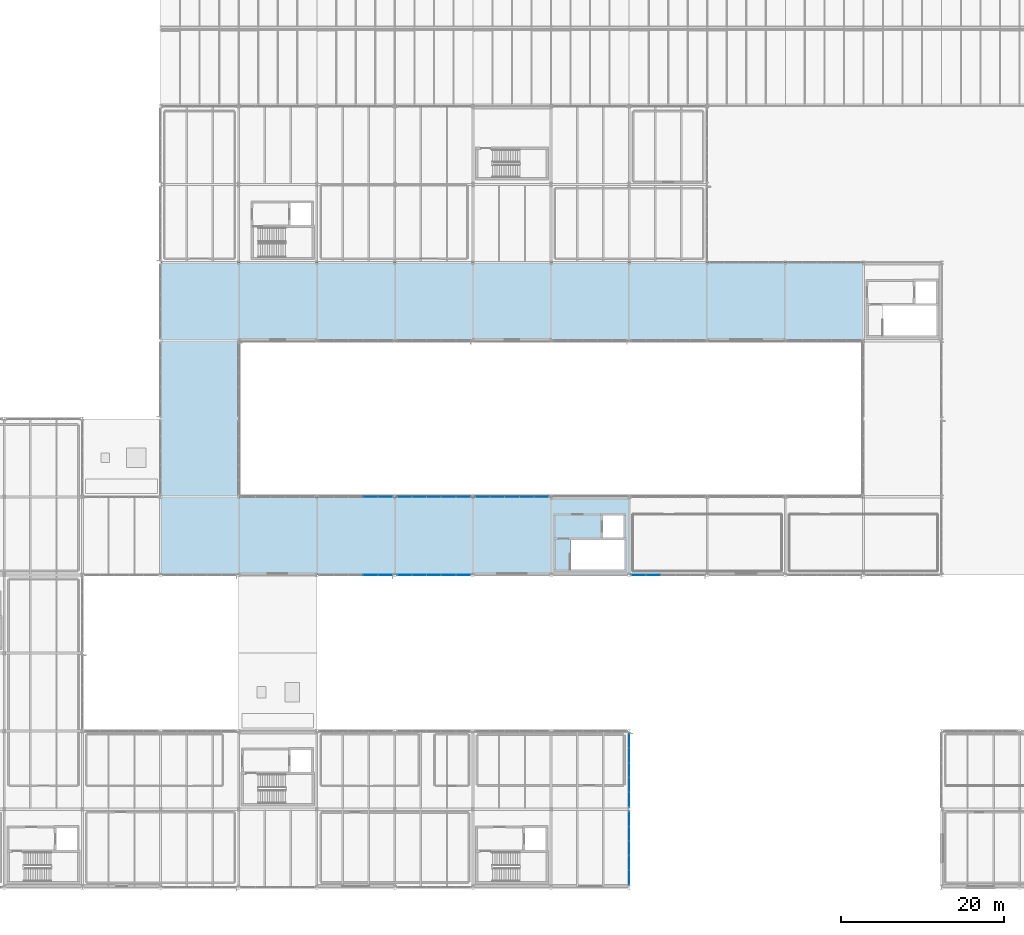
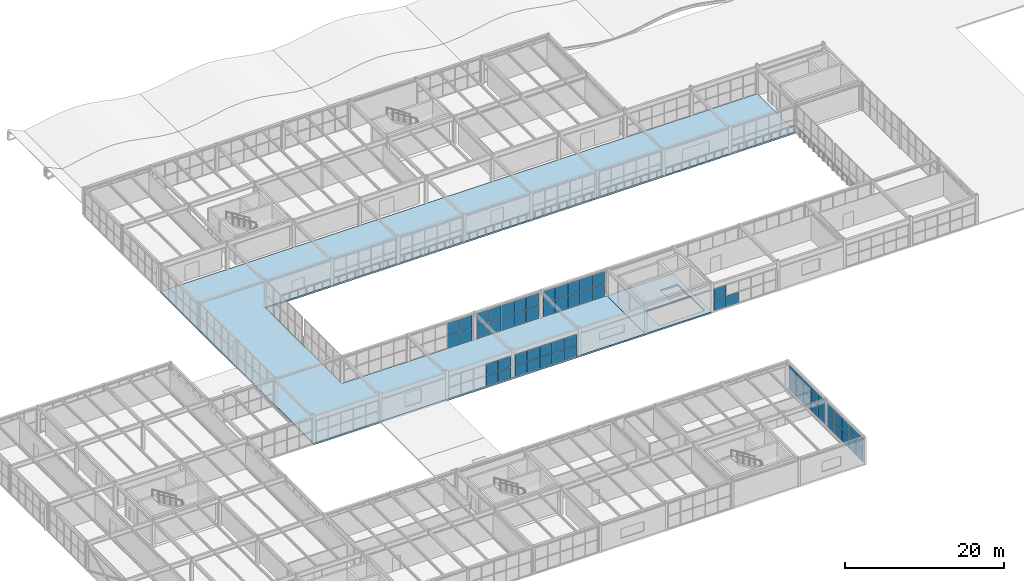
# One storey, part 136 of 170: 61 plates, 2 slabs, 8 elements without a shape of their own.
"""IFC4 building model written with IfcOpenShell, lengths in metres."""

from ifc_helpers import new_model, si_unit, direction, frame, origin, origin_2d, place, context, subcontext, project, spatial, polyline, rectangle, outline, extrude, material, layer, layer_set, type_object, element, aggregate, save


model = new_model("IFC4")

# Units and contexts
model_context = context("Model", 3, precision=1e-05, world=origin(), true_north=direction((0.0, 1.0)))
body_context = subcontext(model_context, "Body", "Model", "MODEL_VIEW")
ifc_project = project(units=[si_unit("LENGTHUNIT", "METRE"), si_unit("AREAUNIT", "SQUARE_METRE"), si_unit("VOLUMEUNIT", "CUBIC_METRE"), si_unit("PLANEANGLEUNIT", "RADIAN"), si_unit("MASSUNIT", "GRAM", prefix="KILO")], contexts=[model_context])

# Site, building, storey
site_placement = place(None, origin())
site = spatial("IfcSite", under=ifc_project, at=site_placement, CompositionType="ELEMENT")
building_placement = place(site_placement, origin())
building = spatial("IfcBuilding", under=site, at=building_placement, Name="Coralgate Yard Interchange", CompositionType="ELEMENT")
storey_placement = place(building_placement, frame((0.0, 0.0, 6.0)))
storey = spatial("IfcBuildingStorey", under=building, at=storey_placement, Name="L01", CompositionType="ELEMENT", Elevation=6.0)

# Curtain wall, plates
ifc_material_1 = material(Name="Anodised coastal aluminium and solar-control low-E glass", Category="aluminium")
curtain_wall_type_1 = type_object("IfcCurtainWallType", Name="CW-CW-L01-A", PredefinedType="NOTDEFINED", material=ifc_material_1)
curtain_wall_1_placement = place(storey_placement, origin())
curtain_wall_1 = element("IfcCurtainWall", 1, at=curtain_wall_1_placement, inside=storey, type_object=curtain_wall_type_1, Name="L01 unitised curtain wall CW-L01-S-06-04", PredefinedType="NOTDEFINED")
ifc_material_2 = material(Name="Solar-control double-glazed low-E glass unit", Category="glass")
ifc_layer_1 = layer(ifc_material_2, 0.031982421875)
ifc_layer_set_1 = layer_set([ifc_layer_1], Name="Solar-control double-glazed low-E glass unit")
plate_type = type_object("IfcPlateType", Name="PLT-CP-32", PredefinedType="CURTAIN_PANEL", material=ifc_layer_set_1)
plate_1_placement = place(storey_placement, frame((66.0, 38.39990234375, 0.02490234375), z_axis=(0.0, 0.0, 1.0), x_axis=(-1.0, 0.0, 0.0)))
plate_1 = element("IfcPlate", 2, at=plate_1_placement, type_object=plate_type, Name="CW-L01-S-06-04 solar-control glazing panel 1-1", PredefinedType="CURTAIN_PANEL", context=body_context, shape_type="SweptSolid", body=[
    extrude(rectangle(XDim=1.75, YDim=0.031982421875, at=origin_2d()), origin(), (0.0, 0.0, 1.0), 1.654541015625),
])
plate_2_placement = place(storey_placement, frame((66.0, 38.39990234375, 1.7294921875), z_axis=(0.0, 0.0, 1.0), x_axis=(-1.0, 0.0, 0.0)))
plate_2 = element("IfcPlate", 3, at=plate_2_placement, type_object=plate_type, Name="CW-L01-S-06-04 solar-control glazing panel 1-2", PredefinedType="CURTAIN_PANEL", context=body_context, shape_type="SweptSolid", body=[
    extrude(rectangle(XDim=1.75, YDim=0.031982421875, at=origin_2d()), origin(), (0.0, 0.0, 1.0), 1.654541015625),
])
plate_3_placement = place(storey_placement, frame((64.199951171875, 38.39990234375, 0.02490234375), z_axis=(0.0, 0.0, 1.0), x_axis=(-1.0, 0.0, 0.0)))
plate_3 = element("IfcPlate", 4, at=plate_3_placement, type_object=plate_type, Name="CW-L01-S-06-04 solar-control glazing panel 2-1", PredefinedType="CURTAIN_PANEL", context=body_context, shape_type="SweptSolid", body=[
    extrude(rectangle(XDim=1.75, YDim=0.031982421875, at=origin_2d()), origin(), (0.0, 0.0, 1.0), 1.654541015625),
])
plate_4_placement = place(storey_placement, frame((64.199951171875, 38.39990234375, 1.7294921875), z_axis=(0.0, 0.0, 1.0), x_axis=(-1.0, 0.0, 0.0)))
plate_4 = element("IfcPlate", 5, at=plate_4_placement, type_object=plate_type, Name="CW-L01-S-06-04 solar-control glazing panel 2-2", PredefinedType="CURTAIN_PANEL", context=body_context, shape_type="SweptSolid", body=[
    extrude(rectangle(XDim=1.75, YDim=0.031982421875, at=origin_2d()), origin(), (0.0, 0.0, 1.0), 1.654541015625),
])
aggregate(curtain_wall_1, [plate_1, plate_2, plate_3, plate_4])

curtain_wall_type_2 = type_object("IfcCurtainWallType", Name="CW-CW-L01-B", PredefinedType="NOTDEFINED", material=ifc_material_1)
curtain_wall_2_placement = place(storey_placement, origin())
curtain_wall_2 = element("IfcCurtainWall", 6, at=curtain_wall_2_placement, inside=storey, type_object=curtain_wall_type_2, Name="L01 unitised curtain wall CW-L01-N-06-04", PredefinedType="NOTDEFINED")
plate_5_placement = place(storey_placement, frame((64.199951171875, 48.0, 0.025146484375), z_axis=(0.0, 0.0, 1.0), x_axis=(1.0, 0.0, 0.0)))
plate_5 = element("IfcPlate", 7, at=plate_5_placement, type_object=plate_type, Name="CW-L01-N-06-04 solar-control glazing panel 4-1", PredefinedType="CURTAIN_PANEL", context=body_context, shape_type="SweptSolid", body=[
    extrude(rectangle(XDim=1.75, YDim=0.031982421875, at=origin_2d()), origin(), (0.0, 0.0, 1.0), 1.89990234375),
])
plate_6_placement = place(storey_placement, frame((64.199951171875, 48.0, 1.97509765625), z_axis=(0.0, 0.0, 1.0), x_axis=(1.0, 0.0, 0.0)))
plate_6 = element("IfcPlate", 8, at=plate_6_placement, type_object=plate_type, Name="CW-L01-N-06-04 solar-control glazing panel 4-2", PredefinedType="CURTAIN_PANEL", context=body_context, shape_type="SweptSolid", body=[
    extrude(rectangle(XDim=1.75, YDim=0.031982421875, at=origin_2d()), origin(), (0.0, 0.0, 1.0), 1.89990234375),
])
plate_7_placement = place(storey_placement, frame((66.0, 48.0, 0.025146484375), z_axis=(0.0, 0.0, 1.0), x_axis=(1.0, 0.0, 0.0)))
plate_7 = element("IfcPlate", 9, at=plate_7_placement, type_object=plate_type, Name="CW-L01-N-06-04 solar-control glazing panel 5-1", PredefinedType="CURTAIN_PANEL", context=body_context, shape_type="SweptSolid", body=[
    extrude(rectangle(XDim=1.75, YDim=0.031982421875, at=origin_2d()), origin(), (0.0, 0.0, 1.0), 1.89990234375),
])
plate_8_placement = place(storey_placement, frame((66.0, 48.0, 1.97509765625), z_axis=(0.0, 0.0, 1.0), x_axis=(1.0, 0.0, 0.0)))
plate_8 = element("IfcPlate", 10, at=plate_8_placement, type_object=plate_type, Name="CW-L01-N-06-04 solar-control glazing panel 5-2", PredefinedType="CURTAIN_PANEL", context=body_context, shape_type="SweptSolid", body=[
    extrude(rectangle(XDim=1.75, YDim=0.031982421875, at=origin_2d()), origin(), (0.0, 0.0, 1.0), 1.89990234375),
])
aggregate(curtain_wall_2, [plate_5, plate_6, plate_7, plate_8])

curtain_wall_3_placement = place(storey_placement, origin())
curtain_wall_3 = element("IfcCurtainWall", 11, at=curtain_wall_3_placement, inside=storey, type_object=curtain_wall_type_1, Name="L01 unitised curtain wall CW-L01-S-07-04", PredefinedType="NOTDEFINED")
plate_9_placement = place(storey_placement, frame((75.60009765625, 38.39990234375, 0.02490234375), z_axis=(0.0, 0.0, 1.0), x_axis=(-1.0, 0.0, 0.0)))
plate_9 = element("IfcPlate", 12, at=plate_9_placement, type_object=plate_type, Name="CW-L01-S-07-04 solar-control glazing panel 1-1", PredefinedType="CURTAIN_PANEL", context=body_context, shape_type="SweptSolid", body=[
    extrude(rectangle(XDim=1.75, YDim=0.031982421875, at=origin_2d()), origin(), (0.0, 0.0, 1.0), 1.654541015625),
])
plate_10_placement = place(storey_placement, frame((75.60009765625, 38.39990234375, 1.7294921875), z_axis=(0.0, 0.0, 1.0), x_axis=(-1.0, 0.0, 0.0)))
plate_10 = element("IfcPlate", 13, at=plate_10_placement, type_object=plate_type, Name="CW-L01-S-07-04 solar-control glazing panel 1-2", PredefinedType="CURTAIN_PANEL", context=body_context, shape_type="SweptSolid", body=[
    extrude(rectangle(XDim=1.75, YDim=0.031982421875, at=origin_2d()), origin(), (0.0, 0.0, 1.0), 1.654541015625),
])
plate_11_placement = place(storey_placement, frame((73.800048828125, 38.39990234375, 0.02490234375), z_axis=(0.0, 0.0, 1.0), x_axis=(-1.0, 0.0, 0.0)))
plate_11 = element("IfcPlate", 14, at=plate_11_placement, type_object=plate_type, Name="CW-L01-S-07-04 solar-control glazing panel 2-1", PredefinedType="CURTAIN_PANEL", context=body_context, shape_type="SweptSolid", body=[
    extrude(rectangle(XDim=1.75, YDim=0.031982421875, at=origin_2d()), origin(), (0.0, 0.0, 1.0), 1.654541015625),
])
plate_12_placement = place(storey_placement, frame((73.800048828125, 38.39990234375, 1.7294921875), z_axis=(0.0, 0.0, 1.0), x_axis=(-1.0, 0.0, 0.0)))
plate_12 = element("IfcPlate", 15, at=plate_12_placement, type_object=plate_type, Name="CW-L01-S-07-04 solar-control glazing panel 2-2", PredefinedType="CURTAIN_PANEL", context=body_context, shape_type="SweptSolid", body=[
    extrude(rectangle(XDim=1.75, YDim=0.031982421875, at=origin_2d()), origin(), (0.0, 0.0, 1.0), 1.654541015625),
])
plate_13_placement = place(storey_placement, frame((72.0, 38.39990234375, 0.02490234375), z_axis=(0.0, 0.0, 1.0), x_axis=(-1.0, 0.0, 0.0)))
plate_13 = element("IfcPlate", 16, at=plate_13_placement, type_object=plate_type, Name="CW-L01-S-07-04 solar-control glazing panel 3-1", PredefinedType="CURTAIN_PANEL", context=body_context, shape_type="SweptSolid", body=[
    extrude(rectangle(XDim=1.75, YDim=0.031982421875, at=origin_2d()), origin(), (0.0, 0.0, 1.0), 1.654541015625),
])
plate_14_placement = place(storey_placement, frame((72.0, 38.39990234375, 1.7294921875), z_axis=(0.0, 0.0, 1.0), x_axis=(-1.0, 0.0, 0.0)))
plate_14 = element("IfcPlate", 17, at=plate_14_placement, type_object=plate_type, Name="CW-L01-S-07-04 solar-control glazing panel 3-2", PredefinedType="CURTAIN_PANEL", context=body_context, shape_type="SweptSolid", body=[
    extrude(rectangle(XDim=1.75, YDim=0.031982421875, at=origin_2d()), origin(), (0.0, 0.0, 1.0), 1.654541015625),
])
plate_15_placement = place(storey_placement, frame((70.199951171875, 38.39990234375, 0.02490234375), z_axis=(0.0, 0.0, 1.0), x_axis=(-1.0, 0.0, 0.0)))
plate_15 = element("IfcPlate", 18, at=plate_15_placement, type_object=plate_type, Name="CW-L01-S-07-04 solar-control glazing panel 4-1", PredefinedType="CURTAIN_PANEL", context=body_context, shape_type="SweptSolid", body=[
    extrude(rectangle(XDim=1.75, YDim=0.031982421875, at=origin_2d()), origin(), (0.0, 0.0, 1.0), 1.654541015625),
])
plate_16_placement = place(storey_placement, frame((70.199951171875, 38.39990234375, 1.7294921875), z_axis=(0.0, 0.0, 1.0), x_axis=(-1.0, 0.0, 0.0)))
plate_16 = element("IfcPlate", 19, at=plate_16_placement, type_object=plate_type, Name="CW-L01-S-07-04 solar-control glazing panel 4-2", PredefinedType="CURTAIN_PANEL", context=body_context, shape_type="SweptSolid", body=[
    extrude(rectangle(XDim=1.75, YDim=0.031982421875, at=origin_2d()), origin(), (0.0, 0.0, 1.0), 1.654541015625),
])
plate_17_placement = place(storey_placement, frame((68.39990234375, 38.39990234375, 0.02490234375), z_axis=(0.0, 0.0, 1.0), x_axis=(-1.0, 0.0, 0.0)))
plate_17 = element("IfcPlate", 20, at=plate_17_placement, type_object=plate_type, Name="CW-L01-S-07-04 solar-control glazing panel 5-1", PredefinedType="CURTAIN_PANEL", context=body_context, shape_type="SweptSolid", body=[
    extrude(rectangle(XDim=1.75, YDim=0.031982421875, at=origin_2d()), origin(), (0.0, 0.0, 1.0), 1.654541015625),
])
plate_18_placement = place(storey_placement, frame((68.39990234375, 38.39990234375, 1.7294921875), z_axis=(0.0, 0.0, 1.0), x_axis=(-1.0, 0.0, 0.0)))
plate_18 = element("IfcPlate", 21, at=plate_18_placement, type_object=plate_type, Name="CW-L01-S-07-04 solar-control glazing panel 5-2", PredefinedType="CURTAIN_PANEL", context=body_context, shape_type="SweptSolid", body=[
    extrude(rectangle(XDim=1.75, YDim=0.031982421875, at=origin_2d()), origin(), (0.0, 0.0, 1.0), 1.654541015625),
])
aggregate(curtain_wall_3, [plate_9, plate_10, plate_11, plate_12, plate_13, plate_14, plate_15, plate_16, plate_17, plate_18])

curtain_wall_4_placement = place(storey_placement, origin())
curtain_wall_4 = element("IfcCurtainWall", 22, at=curtain_wall_4_placement, inside=storey, type_object=curtain_wall_type_2, Name="L01 unitised curtain wall CW-L01-N-07-04", PredefinedType="NOTDEFINED")
plate_19_placement = place(storey_placement, frame((68.39990234375, 48.0, 0.025146484375), z_axis=(0.0, 0.0, 1.0), x_axis=(1.0, 0.0, 0.0)))
plate_19 = element("IfcPlate", 23, at=plate_19_placement, type_object=plate_type, Name="CW-L01-N-07-04 solar-control glazing panel 1-1", PredefinedType="CURTAIN_PANEL", context=body_context, shape_type="SweptSolid", body=[
    extrude(rectangle(XDim=1.75, YDim=0.031982421875, at=origin_2d()), origin(), (0.0, 0.0, 1.0), 1.89990234375),
])
plate_20_placement = place(storey_placement, frame((68.39990234375, 48.0, 1.97509765625), z_axis=(0.0, 0.0, 1.0), x_axis=(1.0, 0.0, 0.0)))
plate_20 = element("IfcPlate", 24, at=plate_20_placement, type_object=plate_type, Name="CW-L01-N-07-04 solar-control glazing panel 1-2", PredefinedType="CURTAIN_PANEL", context=body_context, shape_type="SweptSolid", body=[
    extrude(rectangle(XDim=1.75, YDim=0.031982421875, at=origin_2d()), origin(), (0.0, 0.0, 1.0), 1.89990234375),
])
plate_21_placement = place(storey_placement, frame((70.199951171875, 48.0, 0.025146484375), z_axis=(0.0, 0.0, 1.0), x_axis=(1.0, 0.0, 0.0)))
plate_21 = element("IfcPlate", 25, at=plate_21_placement, type_object=plate_type, Name="CW-L01-N-07-04 solar-control glazing panel 2-1", PredefinedType="CURTAIN_PANEL", context=body_context, shape_type="SweptSolid", body=[
    extrude(rectangle(XDim=1.75, YDim=0.031982421875, at=origin_2d()), origin(), (0.0, 0.0, 1.0), 1.89990234375),
])
plate_22_placement = place(storey_placement, frame((70.199951171875, 48.0, 1.97509765625), z_axis=(0.0, 0.0, 1.0), x_axis=(1.0, 0.0, 0.0)))
plate_22 = element("IfcPlate", 26, at=plate_22_placement, type_object=plate_type, Name="CW-L01-N-07-04 solar-control glazing panel 2-2", PredefinedType="CURTAIN_PANEL", context=body_context, shape_type="SweptSolid", body=[
    extrude(rectangle(XDim=1.75, YDim=0.031982421875, at=origin_2d()), origin(), (0.0, 0.0, 1.0), 1.89990234375),
])
plate_23_placement = place(storey_placement, frame((72.0, 48.0, 0.025146484375), z_axis=(0.0, 0.0, 1.0), x_axis=(1.0, 0.0, 0.0)))
plate_23 = element("IfcPlate", 27, at=plate_23_placement, type_object=plate_type, Name="CW-L01-N-07-04 solar-control glazing panel 3-1", PredefinedType="CURTAIN_PANEL", context=body_context, shape_type="SweptSolid", body=[
    extrude(rectangle(XDim=1.75, YDim=0.031982421875, at=origin_2d()), origin(), (0.0, 0.0, 1.0), 1.89990234375),
])
plate_24_placement = place(storey_placement, frame((72.0, 48.0, 1.97509765625), z_axis=(0.0, 0.0, 1.0), x_axis=(1.0, 0.0, 0.0)))
plate_24 = element("IfcPlate", 28, at=plate_24_placement, type_object=plate_type, Name="CW-L01-N-07-04 solar-control glazing panel 3-2", PredefinedType="CURTAIN_PANEL", context=body_context, shape_type="SweptSolid", body=[
    extrude(rectangle(XDim=1.75, YDim=0.031982421875, at=origin_2d()), origin(), (0.0, 0.0, 1.0), 1.89990234375),
])
plate_25_placement = place(storey_placement, frame((73.800048828125, 48.0, 0.025146484375), z_axis=(0.0, 0.0, 1.0), x_axis=(1.0, 0.0, 0.0)))
plate_25 = element("IfcPlate", 29, at=plate_25_placement, type_object=plate_type, Name="CW-L01-N-07-04 solar-control glazing panel 4-1", PredefinedType="CURTAIN_PANEL", context=body_context, shape_type="SweptSolid", body=[
    extrude(rectangle(XDim=1.75, YDim=0.031982421875, at=origin_2d()), origin(), (0.0, 0.0, 1.0), 1.89990234375),
])
plate_26_placement = place(storey_placement, frame((73.800048828125, 48.0, 1.97509765625), z_axis=(0.0, 0.0, 1.0), x_axis=(1.0, 0.0, 0.0)))
plate_26 = element("IfcPlate", 30, at=plate_26_placement, type_object=plate_type, Name="CW-L01-N-07-04 solar-control glazing panel 4-2", PredefinedType="CURTAIN_PANEL", context=body_context, shape_type="SweptSolid", body=[
    extrude(rectangle(XDim=1.75, YDim=0.031982421875, at=origin_2d()), origin(), (0.0, 0.0, 1.0), 1.89990234375),
])
plate_27_placement = place(storey_placement, frame((75.60009765625, 48.0, 0.025146484375), z_axis=(0.0, 0.0, 1.0), x_axis=(1.0, 0.0, 0.0)))
plate_27 = element("IfcPlate", 31, at=plate_27_placement, type_object=plate_type, Name="CW-L01-N-07-04 solar-control glazing panel 5-1", PredefinedType="CURTAIN_PANEL", context=body_context, shape_type="SweptSolid", body=[
    extrude(rectangle(XDim=1.75, YDim=0.031982421875, at=origin_2d()), origin(), (0.0, 0.0, 1.0), 1.89990234375),
])
plate_28_placement = place(storey_placement, frame((75.60009765625, 48.0, 1.97509765625), z_axis=(0.0, 0.0, 1.0), x_axis=(1.0, 0.0, 0.0)))
plate_28 = element("IfcPlate", 32, at=plate_28_placement, type_object=plate_type, Name="CW-L01-N-07-04 solar-control glazing panel 5-2", PredefinedType="CURTAIN_PANEL", context=body_context, shape_type="SweptSolid", body=[
    extrude(rectangle(XDim=1.75, YDim=0.031982421875, at=origin_2d()), origin(), (0.0, 0.0, 1.0), 1.89990234375),
])
aggregate(curtain_wall_4, [plate_19, plate_20, plate_21, plate_22, plate_23, plate_24, plate_25, plate_26, plate_27, plate_28])

curtain_wall_5_placement = place(storey_placement, origin())
curtain_wall_5 = element("IfcCurtainWall", 33, at=curtain_wall_5_placement, inside=storey, type_object=curtain_wall_type_2, Name="L01 unitised curtain wall CW-L01-N-08-04", PredefinedType="NOTDEFINED")
plate_29_placement = place(storey_placement, frame((78.0, 48.0, 0.025146484375), z_axis=(0.0, 0.0, 1.0), x_axis=(1.0, 0.0, 0.0)))
plate_29 = element("IfcPlate", 34, at=plate_29_placement, type_object=plate_type, Name="CW-L01-N-08-04 solar-control glazing panel 1-1", PredefinedType="CURTAIN_PANEL", context=body_context, shape_type="SweptSolid", body=[
    extrude(rectangle(XDim=1.75, YDim=0.031982421875, at=origin_2d()), origin(), (0.0, 0.0, 1.0), 1.89990234375),
])
plate_30_placement = place(storey_placement, frame((78.0, 48.0, 1.97509765625), z_axis=(0.0, 0.0, 1.0), x_axis=(1.0, 0.0, 0.0)))
plate_30 = element("IfcPlate", 35, at=plate_30_placement, type_object=plate_type, Name="CW-L01-N-08-04 solar-control glazing panel 1-2", PredefinedType="CURTAIN_PANEL", context=body_context, shape_type="SweptSolid", body=[
    extrude(rectangle(XDim=1.75, YDim=0.031982421875, at=origin_2d()), origin(), (0.0, 0.0, 1.0), 1.89990234375),
])
plate_31_placement = place(storey_placement, frame((79.800048828125, 48.0, 0.025146484375), z_axis=(0.0, 0.0, 1.0), x_axis=(1.0, 0.0, 0.0)))
plate_31 = element("IfcPlate", 36, at=plate_31_placement, type_object=plate_type, Name="CW-L01-N-08-04 solar-control glazing panel 2-1", PredefinedType="CURTAIN_PANEL", context=body_context, shape_type="SweptSolid", body=[
    extrude(rectangle(XDim=1.75, YDim=0.031982421875, at=origin_2d()), origin(), (0.0, 0.0, 1.0), 1.89990234375),
])
plate_32_placement = place(storey_placement, frame((79.800048828125, 48.0, 1.97509765625), z_axis=(0.0, 0.0, 1.0), x_axis=(1.0, 0.0, 0.0)))
plate_32 = element("IfcPlate", 37, at=plate_32_placement, type_object=plate_type, Name="CW-L01-N-08-04 solar-control glazing panel 2-2", PredefinedType="CURTAIN_PANEL", context=body_context, shape_type="SweptSolid", body=[
    extrude(rectangle(XDim=1.75, YDim=0.031982421875, at=origin_2d()), origin(), (0.0, 0.0, 1.0), 1.89990234375),
])
plate_33_placement = place(storey_placement, frame((81.60009765625, 48.0, 0.025146484375), z_axis=(0.0, 0.0, 1.0), x_axis=(1.0, 0.0, 0.0)))
plate_33 = element("IfcPlate", 38, at=plate_33_placement, type_object=plate_type, Name="CW-L01-N-08-04 solar-control glazing panel 3-1", PredefinedType="CURTAIN_PANEL", context=body_context, shape_type="SweptSolid", body=[
    extrude(rectangle(XDim=1.75, YDim=0.031982421875, at=origin_2d()), origin(), (0.0, 0.0, 1.0), 1.89990234375),
])
plate_34_placement = place(storey_placement, frame((81.60009765625, 48.0, 1.97509765625), z_axis=(0.0, 0.0, 1.0), x_axis=(1.0, 0.0, 0.0)))
plate_34 = element("IfcPlate", 39, at=plate_34_placement, type_object=plate_type, Name="CW-L01-N-08-04 solar-control glazing panel 3-2", PredefinedType="CURTAIN_PANEL", context=body_context, shape_type="SweptSolid", body=[
    extrude(rectangle(XDim=1.75, YDim=0.031982421875, at=origin_2d()), origin(), (0.0, 0.0, 1.0), 1.89990234375),
])
plate_35_placement = place(storey_placement, frame((83.39990234375, 48.0, 0.025146484375), z_axis=(0.0, 0.0, 1.0), x_axis=(1.0, 0.0, 0.0)))
plate_35 = element("IfcPlate", 40, at=plate_35_placement, type_object=plate_type, Name="CW-L01-N-08-04 solar-control glazing panel 4-1", PredefinedType="CURTAIN_PANEL", context=body_context, shape_type="SweptSolid", body=[
    extrude(rectangle(XDim=1.75, YDim=0.031982421875, at=origin_2d()), origin(), (0.0, 0.0, 1.0), 1.89990234375),
])
plate_36_placement = place(storey_placement, frame((83.39990234375, 48.0, 1.97509765625), z_axis=(0.0, 0.0, 1.0), x_axis=(1.0, 0.0, 0.0)))
plate_36 = element("IfcPlate", 41, at=plate_36_placement, type_object=plate_type, Name="CW-L01-N-08-04 solar-control glazing panel 4-2", PredefinedType="CURTAIN_PANEL", context=body_context, shape_type="SweptSolid", body=[
    extrude(rectangle(XDim=1.75, YDim=0.031982421875, at=origin_2d()), origin(), (0.0, 0.0, 1.0), 1.89990234375),
])
plate_37_placement = place(storey_placement, frame((85.199951171875, 48.0, 0.025146484375), z_axis=(0.0, 0.0, 1.0), x_axis=(1.0, 0.0, 0.0)))
plate_37 = element("IfcPlate", 42, at=plate_37_placement, type_object=plate_type, Name="CW-L01-N-08-04 solar-control glazing panel 5-1", PredefinedType="CURTAIN_PANEL", context=body_context, shape_type="SweptSolid", body=[
    extrude(rectangle(XDim=1.75, YDim=0.031982421875, at=origin_2d()), origin(), (0.0, 0.0, 1.0), 1.89990234375),
])
plate_38_placement = place(storey_placement, frame((85.199951171875, 48.0, 1.97509765625), z_axis=(0.0, 0.0, 1.0), x_axis=(1.0, 0.0, 0.0)))
plate_38 = element("IfcPlate", 43, at=plate_38_placement, type_object=plate_type, Name="CW-L01-N-08-04 solar-control glazing panel 5-2", PredefinedType="CURTAIN_PANEL", context=body_context, shape_type="SweptSolid", body=[
    extrude(rectangle(XDim=1.75, YDim=0.031982421875, at=origin_2d()), origin(), (0.0, 0.0, 1.0), 1.89990234375),
])
aggregate(curtain_wall_5, [plate_29, plate_30, plate_31, plate_32, plate_33, plate_34, plate_35, plate_36, plate_37, plate_38])

curtain_wall_6_placement = place(storey_placement, origin())
curtain_wall_6 = element("IfcCurtainWall", 44, at=curtain_wall_6_placement, inside=storey, type_object=curtain_wall_type_2, Name="L01 unitised curtain wall CW-L01-E-09-00", PredefinedType="NOTDEFINED")
plate_39_placement = place(storey_placement, frame((96.0, 8.39990234375, 0.02490234375), z_axis=(0.0, 0.0, 1.0), x_axis=(0.0, -1.0, 0.0)))
plate_39 = element("IfcPlate", 45, at=plate_39_placement, type_object=plate_type, Name="CW-L01-E-09-00 solar-control glazing panel 1-1", PredefinedType="CURTAIN_PANEL", context=body_context, shape_type="SweptSolid", body=[
    extrude(rectangle(XDim=1.75, YDim=0.031982421875, at=origin_2d()), origin(), (0.0, 0.0, 1.0), 1.808349609375),
])
plate_40_placement = place(storey_placement, frame((96.0, 8.39990234375, 1.88330078125), z_axis=(0.0, 0.0, 1.0), x_axis=(0.0, -1.0, 0.0)))
plate_40 = element("IfcPlate", 46, at=plate_40_placement, type_object=plate_type, Name="CW-L01-E-09-00 solar-control glazing panel 1-2", PredefinedType="CURTAIN_PANEL", context=body_context, shape_type="SweptSolid", body=[
    extrude(rectangle(XDim=1.75, YDim=0.031982421875, at=origin_2d()), origin(), (0.0, 0.0, 1.0), 1.808349609375),
])
plate_41_placement = place(storey_placement, frame((96.0, 6.60009765625, 0.02490234375), z_axis=(0.0, 0.0, 1.0), x_axis=(0.0, -1.0, 0.0)))
plate_41 = element("IfcPlate", 47, at=plate_41_placement, type_object=plate_type, Name="CW-L01-E-09-00 solar-control glazing panel 2-1", PredefinedType="CURTAIN_PANEL", context=body_context, shape_type="SweptSolid", body=[
    extrude(rectangle(XDim=1.75, YDim=0.031982421875, at=origin_2d()), origin(), (0.0, 0.0, 1.0), 1.808349609375),
])
plate_42_placement = place(storey_placement, frame((96.0, 6.60009765625, 1.88330078125), z_axis=(0.0, 0.0, 1.0), x_axis=(0.0, -1.0, 0.0)))
plate_42 = element("IfcPlate", 48, at=plate_42_placement, type_object=plate_type, Name="CW-L01-E-09-00 solar-control glazing panel 2-2", PredefinedType="CURTAIN_PANEL", context=body_context, shape_type="SweptSolid", body=[
    extrude(rectangle(XDim=1.75, YDim=0.031982421875, at=origin_2d()), origin(), (0.0, 0.0, 1.0), 1.808349609375),
])
plate_43_placement = place(storey_placement, frame((96.0, 4.800048828125, 0.02490234375), z_axis=(0.0, 0.0, 1.0), x_axis=(0.0, -1.0, 0.0)))
plate_43 = element("IfcPlate", 49, at=plate_43_placement, type_object=plate_type, Name="CW-L01-E-09-00 solar-control glazing panel 3-1", PredefinedType="CURTAIN_PANEL", context=body_context, shape_type="SweptSolid", body=[
    extrude(rectangle(XDim=1.75, YDim=0.031982421875, at=origin_2d()), origin(), (0.0, 0.0, 1.0), 1.808349609375),
])
plate_44_placement = place(storey_placement, frame((96.0, 4.800048828125, 1.88330078125), z_axis=(0.0, 0.0, 1.0), x_axis=(0.0, -1.0, 0.0)))
plate_44 = element("IfcPlate", 50, at=plate_44_placement, type_object=plate_type, Name="CW-L01-E-09-00 solar-control glazing panel 3-2", PredefinedType="CURTAIN_PANEL", context=body_context, shape_type="SweptSolid", body=[
    extrude(rectangle(XDim=1.75, YDim=0.031982421875, at=origin_2d()), origin(), (0.0, 0.0, 1.0), 1.808349609375),
])
plate_45_placement = place(storey_placement, frame((96.0, 3.0, 0.02490234375), z_axis=(0.0, 0.0, 1.0), x_axis=(0.0, -1.0, 0.0)))
plate_45 = element("IfcPlate", 51, at=plate_45_placement, type_object=plate_type, Name="CW-L01-E-09-00 solar-control glazing panel 4-1", PredefinedType="CURTAIN_PANEL", context=body_context, shape_type="SweptSolid", body=[
    extrude(rectangle(XDim=1.75, YDim=0.031982421875, at=origin_2d()), origin(), (0.0, 0.0, 1.0), 1.808349609375),
])
plate_46_placement = place(storey_placement, frame((96.0, 3.0, 1.88330078125), z_axis=(0.0, 0.0, 1.0), x_axis=(0.0, -1.0, 0.0)))
plate_46 = element("IfcPlate", 52, at=plate_46_placement, type_object=plate_type, Name="CW-L01-E-09-00 solar-control glazing panel 4-2", PredefinedType="CURTAIN_PANEL", context=body_context, shape_type="SweptSolid", body=[
    extrude(rectangle(XDim=1.75, YDim=0.031982421875, at=origin_2d()), origin(), (0.0, 0.0, 1.0), 1.808349609375),
])
plate_47_placement = place(storey_placement, frame((96.0, 1.199951171875, 0.02490234375), z_axis=(0.0, 0.0, 1.0), x_axis=(0.0, -1.0, 0.0)))
plate_47 = element("IfcPlate", 53, at=plate_47_placement, type_object=plate_type, Name="CW-L01-E-09-00 solar-control glazing panel 5-1", PredefinedType="CURTAIN_PANEL", context=body_context, shape_type="SweptSolid", body=[
    extrude(rectangle(XDim=1.75, YDim=0.031982421875, at=origin_2d()), origin(), (0.0, 0.0, 1.0), 1.808349609375),
])
plate_48_placement = place(storey_placement, frame((96.0, 1.199951171875, 1.88330078125), z_axis=(0.0, 0.0, 1.0), x_axis=(0.0, -1.0, 0.0)))
plate_48 = element("IfcPlate", 54, at=plate_48_placement, type_object=plate_type, Name="CW-L01-E-09-00 solar-control glazing panel 5-2", PredefinedType="CURTAIN_PANEL", context=body_context, shape_type="SweptSolid", body=[
    extrude(rectangle(XDim=1.75, YDim=0.031982421875, at=origin_2d()), origin(), (0.0, 0.0, 1.0), 1.808349609375),
])
aggregate(curtain_wall_6, [plate_39, plate_40, plate_41, plate_42, plate_43, plate_44, plate_45, plate_46, plate_47, plate_48])

curtain_wall_7_placement = place(storey_placement, origin())
curtain_wall_7 = element("IfcCurtainWall", 55, at=curtain_wall_7_placement, inside=storey, type_object=curtain_wall_type_2, Name="L01 unitised curtain wall CW-L01-E-09-01", PredefinedType="NOTDEFINED")
plate_49_placement = place(storey_placement, frame((96.0, 18.0, 0.02490234375), z_axis=(0.0, 0.0, 1.0), x_axis=(0.0, -1.0, 0.0)))
plate_49 = element("IfcPlate", 56, at=plate_49_placement, type_object=plate_type, Name="CW-L01-E-09-01 solar-control glazing panel 1-1", PredefinedType="CURTAIN_PANEL", context=body_context, shape_type="SweptSolid", body=[
    extrude(rectangle(XDim=1.75, YDim=0.031982421875, at=origin_2d()), origin(), (0.0, 0.0, 1.0), 1.808349609375),
])
plate_50_placement = place(storey_placement, frame((96.0, 18.0, 1.88330078125), z_axis=(0.0, 0.0, 1.0), x_axis=(0.0, -1.0, 0.0)))
plate_50 = element("IfcPlate", 57, at=plate_50_placement, type_object=plate_type, Name="CW-L01-E-09-01 solar-control glazing panel 1-2", PredefinedType="CURTAIN_PANEL", context=body_context, shape_type="SweptSolid", body=[
    extrude(rectangle(XDim=1.75, YDim=0.031982421875, at=origin_2d()), origin(), (0.0, 0.0, 1.0), 1.808349609375),
])
plate_51_placement = place(storey_placement, frame((96.0, 16.199951171875, 0.02490234375), z_axis=(0.0, 0.0, 1.0), x_axis=(0.0, -1.0, 0.0)))
plate_51 = element("IfcPlate", 58, at=plate_51_placement, type_object=plate_type, Name="CW-L01-E-09-01 solar-control glazing panel 2-1", PredefinedType="CURTAIN_PANEL", context=body_context, shape_type="SweptSolid", body=[
    extrude(rectangle(XDim=1.75, YDim=0.031982421875, at=origin_2d()), origin(), (0.0, 0.0, 1.0), 1.808349609375),
])
plate_52_placement = place(storey_placement, frame((96.0, 16.199951171875, 1.88330078125), z_axis=(0.0, 0.0, 1.0), x_axis=(0.0, -1.0, 0.0)))
plate_52 = element("IfcPlate", 59, at=plate_52_placement, type_object=plate_type, Name="CW-L01-E-09-01 solar-control glazing panel 2-2", PredefinedType="CURTAIN_PANEL", context=body_context, shape_type="SweptSolid", body=[
    extrude(rectangle(XDim=1.75, YDim=0.031982421875, at=origin_2d()), origin(), (0.0, 0.0, 1.0), 1.808349609375),
])
plate_53_placement = place(storey_placement, frame((96.0, 14.39990234375, 0.02490234375), z_axis=(0.0, 0.0, 1.0), x_axis=(0.0, -1.0, 0.0)))
plate_53 = element("IfcPlate", 60, at=plate_53_placement, type_object=plate_type, Name="CW-L01-E-09-01 solar-control glazing panel 3-1", PredefinedType="CURTAIN_PANEL", context=body_context, shape_type="SweptSolid", body=[
    extrude(rectangle(XDim=1.75, YDim=0.031982421875, at=origin_2d()), origin(), (0.0, 0.0, 1.0), 1.808349609375),
])
plate_54_placement = place(storey_placement, frame((96.0, 14.39990234375, 1.88330078125), z_axis=(0.0, 0.0, 1.0), x_axis=(0.0, -1.0, 0.0)))
plate_54 = element("IfcPlate", 61, at=plate_54_placement, type_object=plate_type, Name="CW-L01-E-09-01 solar-control glazing panel 3-2", PredefinedType="CURTAIN_PANEL", context=body_context, shape_type="SweptSolid", body=[
    extrude(rectangle(XDim=1.75, YDim=0.031982421875, at=origin_2d()), origin(), (0.0, 0.0, 1.0), 1.808349609375),
])
plate_55_placement = place(storey_placement, frame((96.0, 12.60009765625, 0.02490234375), z_axis=(0.0, 0.0, 1.0), x_axis=(0.0, -1.0, 0.0)))
plate_55 = element("IfcPlate", 62, at=plate_55_placement, type_object=plate_type, Name="CW-L01-E-09-01 solar-control glazing panel 4-1", PredefinedType="CURTAIN_PANEL", context=body_context, shape_type="SweptSolid", body=[
    extrude(rectangle(XDim=1.75, YDim=0.031982421875, at=origin_2d()), origin(), (0.0, 0.0, 1.0), 1.808349609375),
])
plate_56_placement = place(storey_placement, frame((96.0, 12.60009765625, 1.88330078125), z_axis=(0.0, 0.0, 1.0), x_axis=(0.0, -1.0, 0.0)))
plate_56 = element("IfcPlate", 63, at=plate_56_placement, type_object=plate_type, Name="CW-L01-E-09-01 solar-control glazing panel 4-2", PredefinedType="CURTAIN_PANEL", context=body_context, shape_type="SweptSolid", body=[
    extrude(rectangle(XDim=1.75, YDim=0.031982421875, at=origin_2d()), origin(), (0.0, 0.0, 1.0), 1.808349609375),
])
plate_57_placement = place(storey_placement, frame((96.0, 10.800048828125, 0.02490234375), z_axis=(0.0, 0.0, 1.0), x_axis=(0.0, -1.0, 0.0)))
plate_57 = element("IfcPlate", 64, at=plate_57_placement, type_object=plate_type, Name="CW-L01-E-09-01 solar-control glazing panel 5-1", PredefinedType="CURTAIN_PANEL", context=body_context, shape_type="SweptSolid", body=[
    extrude(rectangle(XDim=1.75, YDim=0.031982421875, at=origin_2d()), origin(), (0.0, 0.0, 1.0), 1.808349609375),
])
plate_58_placement = place(storey_placement, frame((96.0, 10.800048828125, 1.88330078125), z_axis=(0.0, 0.0, 1.0), x_axis=(0.0, -1.0, 0.0)))
plate_58 = element("IfcPlate", 65, at=plate_58_placement, type_object=plate_type, Name="CW-L01-E-09-01 solar-control glazing panel 5-2", PredefinedType="CURTAIN_PANEL", context=body_context, shape_type="SweptSolid", body=[
    extrude(rectangle(XDim=1.75, YDim=0.031982421875, at=origin_2d()), origin(), (0.0, 0.0, 1.0), 1.808349609375),
])
aggregate(curtain_wall_7, [plate_49, plate_50, plate_51, plate_52, plate_53, plate_54, plate_55, plate_56, plate_57, plate_58])

curtain_wall_8_placement = place(storey_placement, origin())
curtain_wall_8 = element("IfcCurtainWall", 66, at=curtain_wall_8_placement, inside=storey, type_object=curtain_wall_type_1, Name="L01 unitised curtain wall CW-L01-S-10-04", PredefinedType="NOTDEFINED")
plate_59_placement = place(storey_placement, frame((99.0, 38.39990234375, 0.02490234375), z_axis=(0.0, 0.0, 1.0), x_axis=(-1.0, 0.0, 0.0)))
plate_59 = element("IfcPlate", 67, at=plate_59_placement, type_object=plate_type, Name="CW-L01-S-10-04 solar-control glazing panel 4-1", PredefinedType="CURTAIN_PANEL", context=body_context, shape_type="SweptSolid", body=[
    extrude(rectangle(XDim=1.75, YDim=0.031982421875, at=origin_2d()), origin(), (0.0, 0.0, 1.0), 1.654541015625),
])
plate_60_placement = place(storey_placement, frame((97.199951171875, 38.39990234375, 0.02490234375), z_axis=(0.0, 0.0, 1.0), x_axis=(-1.0, 0.0, 0.0)))
plate_60 = element("IfcPlate", 68, at=plate_60_placement, type_object=plate_type, Name="CW-L01-S-10-04 solar-control glazing panel 5-1", PredefinedType="CURTAIN_PANEL", context=body_context, shape_type="SweptSolid", body=[
    extrude(rectangle(XDim=1.75, YDim=0.031982421875, at=origin_2d()), origin(), (0.0, 0.0, 1.0), 1.654541015625),
])
plate_61_placement = place(storey_placement, frame((97.199951171875, 38.39990234375, 1.7294921875), z_axis=(0.0, 0.0, 1.0), x_axis=(-1.0, 0.0, 0.0)))
plate_61 = element("IfcPlate", 69, at=plate_61_placement, type_object=plate_type, Name="CW-L01-S-10-04 solar-control glazing panel 5-2", PredefinedType="CURTAIN_PANEL", context=body_context, shape_type="SweptSolid", body=[
    extrude(rectangle(XDim=1.75, YDim=0.031982421875, at=origin_2d()), origin(), (0.0, 0.0, 1.0), 1.654541015625),
])
aggregate(curtain_wall_8, [plate_59, plate_60, plate_61])

# Slabs
ifc_material_3 = material(Name="Concrete C40/50", Category="concrete")
ifc_layer_2 = layer(ifc_material_3, 0.25)
ifc_layer_set_2 = layer_set([ifc_layer_2], Name="Concrete C40/50")
slab_type = type_object("IfcSlabType", Name="SLB-SL-FLR250", PredefinedType="FLOOR", material=ifc_layer_set_2)
slab_1_placement = place(storey_placement, frame((0.0, 0.0, -0.25)))
element("IfcSlab", 70, at=slab_1_placement, inside=storey, type_object=slab_type, Name="L01 core C6 structural floor slab", PredefinedType="FLOOR", context=body_context, shape_type="SweptSolid", body=[
    extrude(outline(polyline([(96.0, 48.0), (96.0, 38.39990234375), (86.39990234375, 38.39990234375), (86.39990234375, 48.0), (96.0, 48.0)]), holes=[polyline([(95.39990234375, 42.7099609375), (88.820068359375, 42.7099609375), (88.820068359375, 39.050048828125), (95.39990234375, 39.050048828125), (95.39990234375, 42.7099609375)]), polyline([(95.300048828125, 42.85009765625), (95.300048828125, 45.699951171875), (92.800048828125, 45.699951171875), (92.800048828125, 42.85009765625), (95.300048828125, 42.85009765625)])]), origin(), (0.0, 0.0, 1.0), 0.25),
])
slab_2_placement = place(storey_placement, frame((0.0, 0.0, -0.25)))
element("IfcSlab", 71, at=slab_2_placement, inside=storey, type_object=slab_type, Name="L01 concourse mezzanine ring gallery slab", PredefinedType="FLOOR", context=body_context, shape_type="SweptSolid", body=[
    extrude(outline(polyline([(67.199951171875, 48.0), (76.800048828125, 48.0), (86.39990234375, 48.0), (86.39990234375, 38.39990234375), (76.800048828125, 38.39990234375), (67.199951171875, 38.39990234375), (57.60009765625, 38.39990234375), (48.0, 38.39990234375), (38.39990234375, 38.39990234375), (38.39990234375, 48.0), (38.39990234375, 57.60009765625), (38.39990234375, 67.199951171875), (38.39990234375, 76.800048828125), (48.0, 76.800048828125), (57.60009765625, 76.800048828125), (67.199951171875, 76.800048828125), (76.800048828125, 76.800048828125), (86.39990234375, 76.800048828125), (96.0, 76.800048828125), (105.60009765625, 76.800048828125), (115.199951171875, 76.800048828125), (124.800048828125, 76.800048828125), (124.800048828125, 67.199951171875), (115.199951171875, 67.199951171875), (105.60009765625, 67.199951171875), (96.0, 67.199951171875), (86.39990234375, 67.199951171875), (76.800048828125, 67.199951171875), (67.199951171875, 67.199951171875), (57.60009765625, 67.199951171875), (48.0, 67.199951171875), (48.0, 57.60009765625), (48.0, 48.0), (57.60009765625, 48.0), (67.199951171875, 48.0)])), origin(), (0.0, 0.0, 1.0), 0.25),
])

save(model, "model.ifc")
